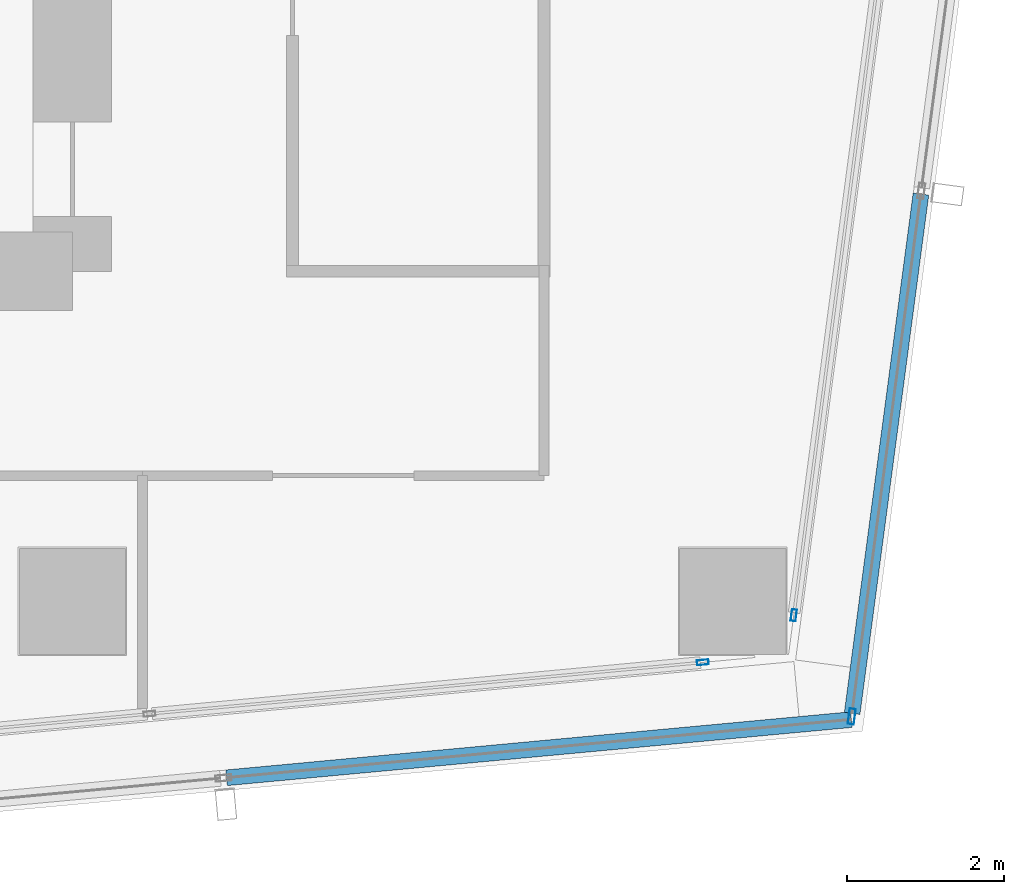
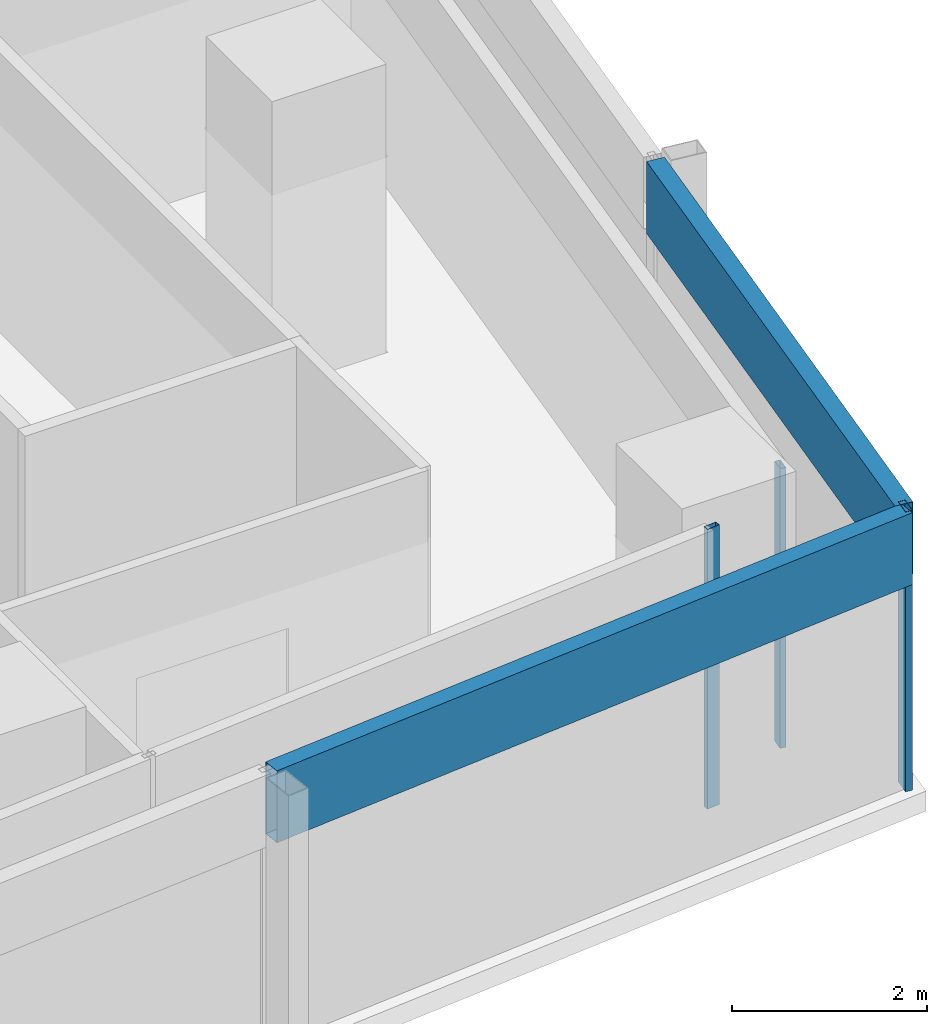
# One storey, part 12 of 40: 5 members, 4 elements without a shape of their own.
"""IFC4 building model written with IfcOpenShell, lengths in metres."""

from ifc_helpers import new_model, si_unit, direction, frame, origin, origin_2d, place, context, subcontext, project, spatial, hollow_rectangle, extrude, material, material_profile, profile_set, type_object, element, aggregate, save


model = new_model("IFC4")

# Units and contexts
model_context = context("Model", 3, precision=1e-05, world=origin(), true_north=direction((0.0, 1.0)))
body_context = subcontext(model_context, "Body", "Model", "MODEL_VIEW")
ifc_project = project(units=[si_unit("LENGTHUNIT", "METRE"), si_unit("AREAUNIT", "SQUARE_METRE"), si_unit("VOLUMEUNIT", "CUBIC_METRE"), si_unit("PLANEANGLEUNIT", "RADIAN"), si_unit("MASSUNIT", "GRAM", prefix="KILO")], contexts=[model_context])

# Site, building, storey
site_placement = place(None, origin())
site = spatial("IfcSite", under=ifc_project, at=site_placement, CompositionType="ELEMENT")
building_placement = place(site_placement, origin())
building = spatial("IfcBuilding", under=site, at=building_placement, Name="Rekha Terrace Tower", CompositionType="ELEMENT")
storey_placement = place(building_placement, frame((0.0, 0.0, 213.949951171875)))
storey = spatial("IfcBuildingStorey", under=building, at=storey_placement, Name="L54", CompositionType="ELEMENT", Elevation=213.949951171875)

# Curtain wall, member
ifc_material_1 = material(Name="Aluminium framing", Category="aluminium")
curtain_wall_type_1 = type_object("IfcCurtainWallType", Name="CW1 double skin inner glazing", PredefinedType="USERDEFINED", material=ifc_material_1)
curtain_wall_1_placement = place(storey_placement, origin())
curtain_wall_1 = element("IfcCurtainWall", 1, at=curtain_wall_1_placement, inside=storey, type_object=curtain_wall_type_1, Name="CW1 double skin inner glazing", ObjectType="DOUBLE SKIN INNER GLAZING", PredefinedType="USERDEFINED")
ifc_material_2 = material(Name="Aluminium mullion section", Category="aluminium")
ifc_material_profile_1 = material_profile(ifc_material_2, hollow_rectangle(XDim=0.06494140625, YDim=0.14990234375, WallThickness=0.00390625, at=origin_2d()), Name="AL RHS 65x150")
ifc_profile_set_1 = profile_set([ifc_material_profile_1], Name="Aluminium mullion section")
member_type_1 = type_object("IfcMemberType", Name="CW1 mullion RHS 65 x 150", PredefinedType="MULLION", material=ifc_profile_set_1)
member_1_placement = place(storey_placement, frame((58.419677734375, 16.025634765625, 0.0), z_axis=(0.0, 0.0, 1.0), x_axis=(-0.092708869564, 0.995693258742, 0.0)))
member_1 = element("IfcMember", 2, at=member_1_placement, type_object=member_type_1, Name="CW1 mullion 3", PredefinedType="MULLION", context=body_context, shape_type="SweptSolid", body=[
    extrude(hollow_rectangle(XDim=0.06494140625, YDim=0.14990234375, WallThickness=0.00390625, at=origin_2d()), origin(), (0.0, 0.0, 1.0), 3.5),
])
aggregate(curtain_wall_1, [member_1])

curtain_wall_2_placement = place(storey_placement, origin())
curtain_wall_2 = element("IfcCurtainWall", 3, at=curtain_wall_2_placement, inside=storey, type_object=curtain_wall_type_1, Name="CW1 double skin inner glazing", ObjectType="DOUBLE SKIN INNER GLAZING", PredefinedType="USERDEFINED")
member_2_placement = place(storey_placement, frame((59.576171875, 16.624755859375, 0.0), z_axis=(0.0, 0.0, 1.0), x_axis=(-0.991342203185, 0.131303603093, 0.0)))
member_2 = element("IfcMember", 4, at=member_2_placement, type_object=member_type_1, Name="CW1 mullion 1", PredefinedType="MULLION", context=body_context, shape_type="SweptSolid", body=[
    extrude(hollow_rectangle(XDim=0.06494140625, YDim=0.14990234375, WallThickness=0.00390625, at=origin_2d()), origin(), (0.0, 0.0, 1.0), 3.5),
])
aggregate(curtain_wall_2, [member_2])

curtain_wall_type_2 = type_object("IfcCurtainWallType", Name="CW2 double skin outer glazing", PredefinedType="USERDEFINED", material=ifc_material_1)
curtain_wall_3_placement = place(storey_placement, origin())
curtain_wall_3 = element("IfcCurtainWall", 5, at=curtain_wall_3_placement, inside=storey, type_object=curtain_wall_type_2, Name="CW2 double skin outer glazing", ObjectType="DOUBLE SKIN OUTER GLAZING", PredefinedType="USERDEFINED")
ifc_material_profile_2 = material_profile(ifc_material_2, hollow_rectangle(XDim=0.080078125, YDim=0.199951171875, WallThickness=0.00390625, at=origin_2d()), Name="AL RHS 80x200")
ifc_profile_set_2 = profile_set([ifc_material_profile_2], Name="Aluminium mullion section")
member_type_2 = type_object("IfcMemberType", Name="CW2 mullion RHS 80 x 200", PredefinedType="MULLION", material=ifc_profile_set_2)
member_3_placement = place(storey_placement, frame((60.3134765625, 15.337158203125, 0.0), z_axis=(0.0, 0.0, 1.0), x_axis=(-0.991342203187, 0.131303603075, 0.0)))
member_3 = element("IfcMember", 6, at=member_3_placement, type_object=member_type_2, Name="CW2 mullion 1", PredefinedType="MULLION", context=body_context, shape_type="SweptSolid", body=[
    extrude(hollow_rectangle(XDim=0.080078125, YDim=0.199951171875, WallThickness=0.00390625, at=origin_2d()), origin(), (0.0, 0.0, 1.0), 3.5),
])

curtain_wall_4_placement = place(storey_placement, origin())
curtain_wall_4 = element("IfcCurtainWall", 7, at=curtain_wall_4_placement, inside=storey, type_object=curtain_wall_type_2, Name="CW2 double skin outer glazing", ObjectType="DOUBLE SKIN OUTER GLAZING", PredefinedType="USERDEFINED")
ifc_material_3 = material(Name="Insulated aluminium spandrel box", Category="aluminium")
ifc_material_profile_3 = material_profile(ifc_material_3, hollow_rectangle(XDim=0.199951171875, YDim=0.89990234375, WallThickness=0.0029296875, at=origin_2d()), Name="AL SPANDREL BOX 200x900")
ifc_profile_set_3 = profile_set([ifc_material_profile_3], Name="Insulated aluminium spandrel box")
member_type_3 = type_object("IfcMemberType", Name="CW2 spandrel transom 200 x 900", PredefinedType="USERDEFINED", material=ifc_profile_set_3)
member_4_placement = place(storey_placement, frame((52.36181640625, 14.5576171875, 3.050048828125), z_axis=(0.99569478362, 0.092692490917, 0.0), x_axis=(-0.092692490917, 0.99569478362, 0.0)))
member_4 = element("IfcMember", 8, at=member_4_placement, type_object=member_type_3, Name="CW2 spandrel transom 2", ObjectType="TRANSOM", PredefinedType="USERDEFINED", context=body_context, shape_type="SweptSolid", body=[
    extrude(hollow_rectangle(XDim=0.199951171875, YDim=0.89990234375, WallThickness=0.0029296875, at=origin_2d()), origin(), (0.0, 0.0, 1.0), 7.980712890625),
])
aggregate(curtain_wall_4, [member_4])

# Member
member_5_placement = place(storey_placement, frame((60.318603515625, 15.376708984375, 3.050048828125), z_axis=(0.131318864981, 0.991340181623, 0.0), x_axis=(-0.991340181623, 0.131318864981, 0.0)))
member_5 = element("IfcMember", 9, at=member_5_placement, type_object=member_type_3, Name="CW2 spandrel transom 1", ObjectType="TRANSOM", PredefinedType="USERDEFINED", context=body_context, shape_type="SweptSolid", body=[
    extrude(hollow_rectangle(XDim=0.199951171875, YDim=0.89990234375, WallThickness=0.0029296875, at=origin_2d()), origin(), (0.0, 0.0, 1.0), 6.6630859375),
])

aggregate(curtain_wall_3, [member_3, member_5])

save(model, "model.ifc")
